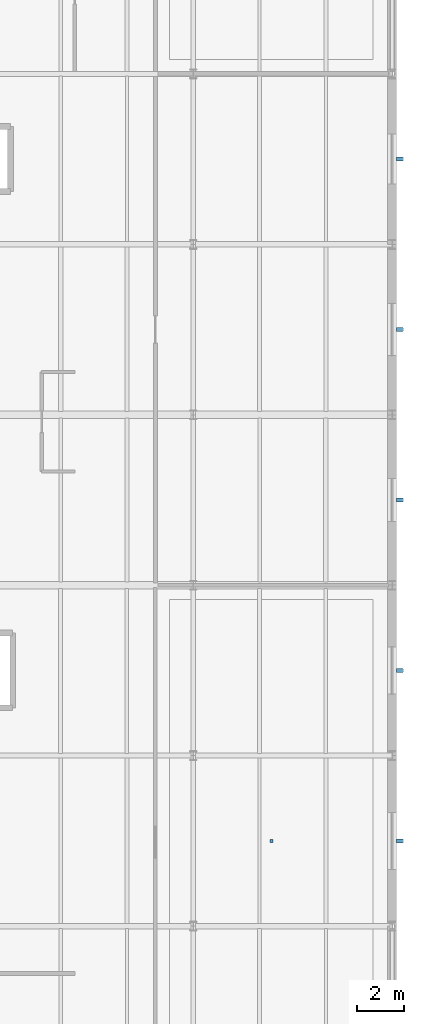
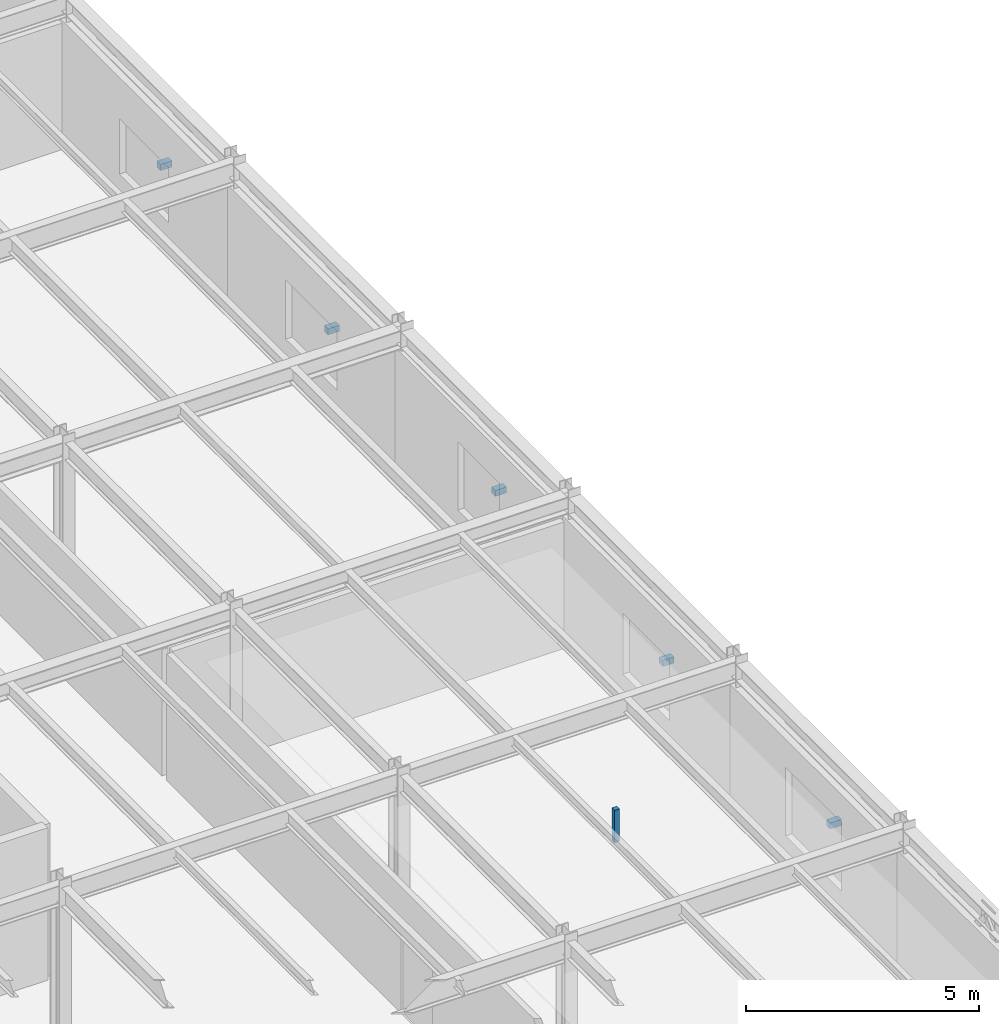
# One storey, part 76 of 109: 6 discrete accessories.
"""IFC4 building model written with IfcOpenShell, lengths in metres."""

from ifc_helpers import new_model, si_unit, derived_unit, direction, frame, origin, origin_2d, place, context, subcontext, project, spatial, rectangle, extrude, material, type_object, element, save


model = new_model("IFC4")

# Units and contexts
model_context = context("Model", 3, precision=1e-05, world=origin(), true_north=direction((0.0, 1.0)))
body_context = subcontext(model_context, "Body", "Model", "MODEL_VIEW")
ifc_project = project(units=[si_unit("LENGTHUNIT", "METRE"), si_unit("AREAUNIT", "SQUARE_METRE"), si_unit("VOLUMEUNIT", "CUBIC_METRE"), si_unit("PLANEANGLEUNIT", "RADIAN"), si_unit("MASSUNIT", "GRAM", prefix="KILO"), derived_unit("THERMALTRANSMITTANCEUNIT", [(si_unit("MASSUNIT", "GRAM", prefix="KILO"), 1), (si_unit("TIMEUNIT", "SECOND"), -3), (si_unit("THERMODYNAMICTEMPERATUREUNIT", "KELVIN"), -1)])], contexts=[model_context])

# Site, building, storey
site_placement = place(None, origin())
site = spatial("IfcSite", under=ifc_project, at=site_placement, CompositionType="ELEMENT")
building_placement = place(site_placement, origin())
building = spatial("IfcBuilding", under=site, at=building_placement, Name="Kharveza Railside Sports Centre", CompositionType="ELEMENT")
storey_placement = place(building_placement, frame((0.0, 0.0, 4.5)))
storey = spatial("IfcBuildingStorey", under=building, at=storey_placement, Name="L01", CompositionType="ELEMENT", Elevation=4.5)

# Discrete accessories
ifc_material = material(Name="Steel S275JR", Category="steel")
discrete_accessory_type = type_object("IfcDiscreteAccessoryType", Name="DA-BK01", PredefinedType="BRACKET", material=ifc_material)
for number, where, z_axis, x_axis, name in (
    (1, (168.320068359375, 32.39990234375, 1.669921875), (0.0, 0.0, 1.0), (1.0, 0.0, 0.0), "BK-FIN-040"),
    (2, (168.320068359375, 39.60009765625, 1.56982421875), (0.0, 0.0, 1.0), (1.0, 0.0, 0.0), "BK-FIN-041"),
    (3, (168.320068359375, 46.800048828125, 1.669921875), (0.0, 0.0, 1.0), (1.0, 0.0, 0.0), "BK-FIN-042"),
    (4, (168.320068359375, 54.0, 1.544921875), (0.0, 0.0, 1.0), (1.0, 0.0, 0.0), "BK-FIN-043"),
    (5, (168.320068359375, 61.199951171875, 1.4951171875), (0.0, 0.0, 1.0), (1.0, 0.0, 0.0), "BK-FIN-044"),
):
    element("IfcDiscreteAccessory", number, at=place(storey_placement, frame(where, z_axis=z_axis, x_axis=x_axis)), inside=storey, type_object=discrete_accessory_type, Name=name, PredefinedType="BRACKET", context=body_context, shape_type="SweptSolid", body=[
        extrude(rectangle(XDim=0.280029296875, YDim=0.159912109375, at=origin_2d()), origin(), (0.0, 0.0, 1.0), 0.159912109375),
    ])
discrete_accessory_placement = place(storey_placement, frame((162.89990234375, 32.39990234375, 3.169921875), z_axis=(0.0, 0.0, 1.0), x_axis=(1.0, 0.0, 0.0)))
element("IfcDiscreteAccessory", 6, at=discrete_accessory_placement, inside=storey, type_object=discrete_accessory_type, Name="BK-COV-CL-REHB", PredefinedType="BRACKET", context=body_context, shape_type="SweptSolid", body=[
    extrude(rectangle(XDim=0.1201171875, YDim=0.1201171875, at=origin_2d()), origin(), (0.0, 0.0, 1.0), 0.85009765625),
])

save(model, "model.ifc")
